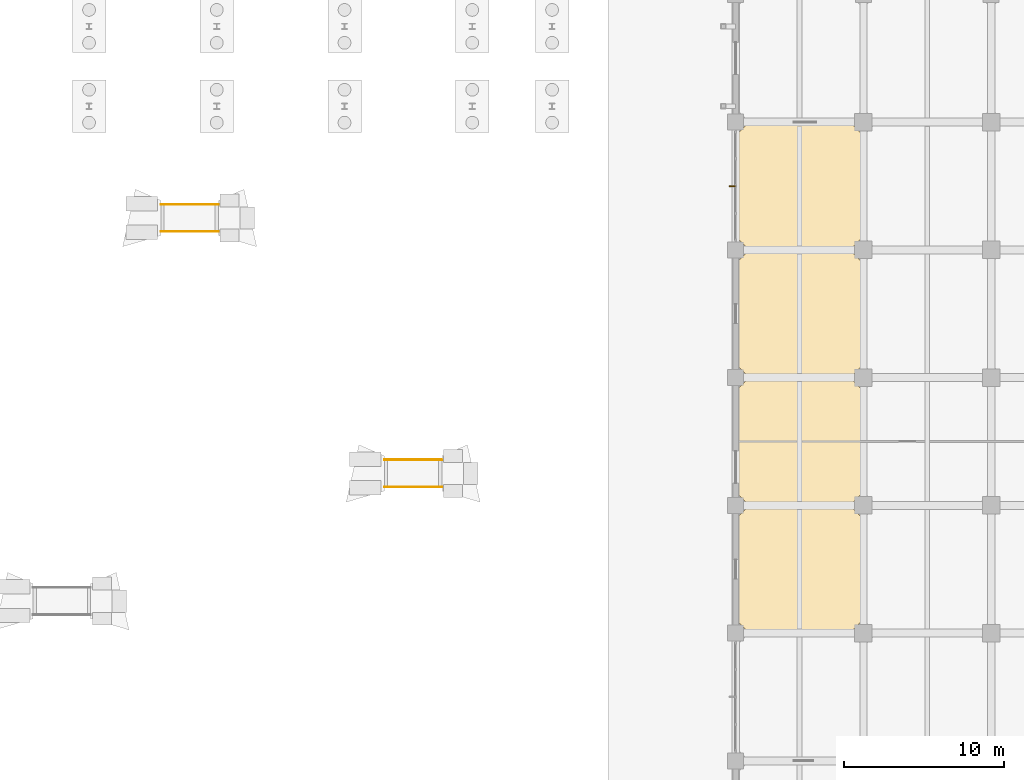
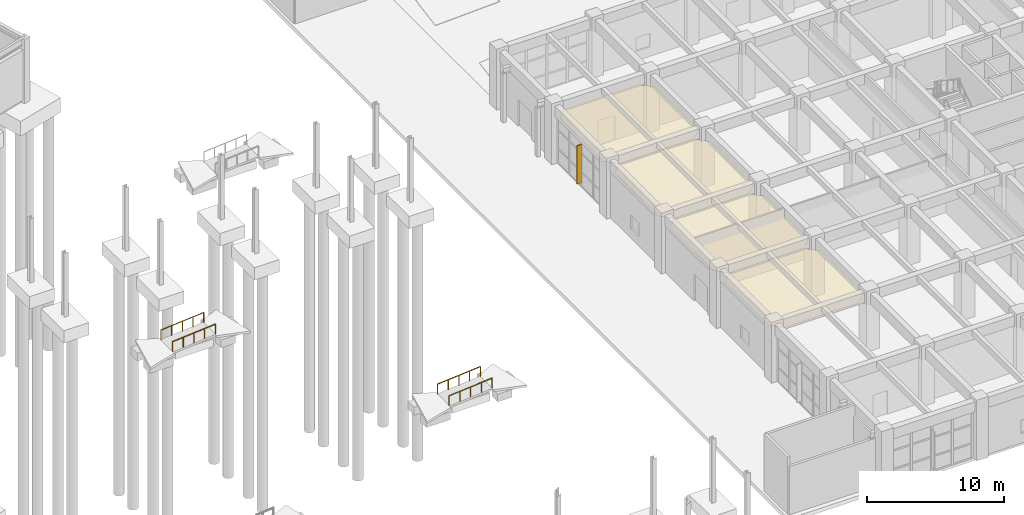
# One storey, part 84 of 90: 4 coverings, 4 railings, 1 shading device.
"""IFC4 building model written with IfcOpenShell, lengths in metres."""

from ifc_helpers import new_model, si_unit, direction, frame, origin, origin_2d, place, context, subcontext, project, spatial, polyline, rectangle, circle, outline, extrude, material, layer, layer_set, type_object, element, save


model = new_model("IFC4")

# Units and contexts
model_context = context("Model", 3, precision=1e-05, world=origin(), true_north=direction((0.0, 1.0)))
body_context = subcontext(model_context, "Body", "Model", "MODEL_VIEW")
ifc_project = project(units=[si_unit("LENGTHUNIT", "METRE"), si_unit("AREAUNIT", "SQUARE_METRE"), si_unit("VOLUMEUNIT", "CUBIC_METRE"), si_unit("PLANEANGLEUNIT", "RADIAN"), si_unit("MASSUNIT", "GRAM", prefix="KILO")], contexts=[model_context])

# Site, building, storey
site_placement = place(None, origin())
site = spatial("IfcSite", under=ifc_project, at=site_placement, CompositionType="ELEMENT")
building_placement = place(site_placement, origin())
building = spatial("IfcBuilding", under=site, at=building_placement, Name="Canggui Botanical Conservatory", CompositionType="ELEMENT")
storey_placement = place(building_placement, origin())
storey = spatial("IfcBuildingStorey", under=building, at=storey_placement, Name="L01", CompositionType="ELEMENT", Elevation=0.0)

# Coverings
ifc_material_1 = material(Name="Mineral Fibre Acoustic Board")
ifc_layer_1 = layer(ifc_material_1, 0.014892578125, Name="Mineral Fibre Acoustic Board")
ifc_layer_set_1 = layer_set([ifc_layer_1], Name="Mineral Fibre Acoustic Board")
covering_type_1 = type_object("IfcCoveringType", Name="COV-CEIL-15", PredefinedType="CEILING", material=ifc_layer_set_1)
covering_1_placement = place(storey_placement, frame((0.0, 0.0, 4.155029296875)))
element("IfcCovering", 1, at=covering_1_placement, inside=storey, type_object=covering_type_1, Name="Suspended Acoustic Ceiling L01-130-42", PredefinedType="CEILING", context=body_context, shape_type="SweptSolid", body=[
    extrude(outline(polyline([(130.85009765625, 42.0), (137.14990234375, 42.0), (138.0, 42.85009765625), (138.0, 49.14990234375), (137.14990234375, 50.0), (130.85009765625, 50.0), (130.0, 49.14990234375), (130.0, 42.85009765625), (130.85009765625, 42.0)])), origin(), (0.0, 0.0, 1.0), 0.014892578125),
])
covering_2_placement = place(storey_placement, frame((0.0, 0.0, 4.155029296875)))
element("IfcCovering", 2, at=covering_2_placement, inside=storey, type_object=covering_type_1, Name="Suspended Acoustic Ceiling L01-130-58", PredefinedType="CEILING", context=body_context, shape_type="SweptSolid", body=[
    extrude(outline(polyline([(130.85009765625, 58.0), (137.14990234375, 58.0), (138.0, 58.85009765625), (138.0, 65.14990234375), (137.14990234375, 66.0), (130.85009765625, 66.0), (130.0, 65.14990234375), (130.0, 58.85009765625), (130.85009765625, 58.0)])), origin(), (0.0, 0.0, 1.0), 0.014892578125),
])
ifc_material_2 = material(Name="Perforated Gypsum Acoustic Panel")
ifc_layer_2 = layer(ifc_material_2, 0.02001953125, Name="Perforated Gypsum Acoustic Panel")
ifc_layer_set_2 = layer_set([ifc_layer_2], Name="Perforated Gypsum Acoustic Panel")
covering_type_2 = type_object("IfcCoveringType", Name="COV-CEIL-20", PredefinedType="CEILING", material=ifc_layer_set_2)
covering_3_placement = place(storey_placement, frame((0.0, 0.0, 4.14990234375)))
element("IfcCovering", 3, at=covering_3_placement, inside=storey, type_object=covering_type_2, Name="Suspended Acoustic Ceiling L01-130-50", PredefinedType="CEILING", context=body_context, shape_type="SweptSolid", body=[
    extrude(outline(polyline([(130.85009765625, 50.0), (137.14990234375, 50.0), (138.0, 50.85009765625), (138.0, 57.14990234375), (137.14990234375, 58.0), (130.85009765625, 58.0), (130.0, 57.14990234375), (130.0, 50.85009765625), (130.85009765625, 50.0)])), origin(), (0.0, 0.0, 1.0), 0.02001953125),
])
covering_4_placement = place(storey_placement, frame((0.0, 0.0, 4.14990234375)))
element("IfcCovering", 4, at=covering_4_placement, inside=storey, type_object=covering_type_2, Name="Suspended Acoustic Ceiling L01-130-66", PredefinedType="CEILING", context=body_context, shape_type="SweptSolid", body=[
    extrude(outline(polyline([(130.85009765625, 66.0), (137.14990234375, 66.0), (138.0, 66.85009765625), (138.0, 73.14990234375), (137.14990234375, 74.0), (130.85009765625, 74.0), (130.0, 73.14990234375), (130.0, 66.85009765625), (130.85009765625, 66.0)])), origin(), (0.0, 0.0, 1.0), 0.02001953125),
])

# Railings
ifc_material_3 = material(Name="Stainless Steel 304", Category="steel")
railing_type = type_object("IfcRailingType", Name="RAIL-HAND-900", PredefinedType="HANDRAIL", material=ifc_material_3)
for number, where, name in (
    (5, (108.0, 51.14990234375, -0.300048828125), "PR-03 Accessible Handrail S"),
    (6, (108.0, 52.85009765625, -0.300048828125), "PR-03 Accessible Handrail N"),
    (7, (94.0, 67.14990234375, -0.300048828125), "PR-05 Accessible Handrail S"),
    (8, (94.0, 68.85009765625, -0.300048828125), "PR-05 Accessible Handrail N"),
):
    element("IfcRailing", number, at=place(storey_placement, frame(where)), inside=storey, type_object=railing_type, Name=name, PredefinedType="HANDRAIL", context=body_context, shape_type="SweptSolid", body=[
        extrude(circle(Radius=0.02392578125, at=origin_2d()), frame((0.0, 0.0, 0.8759765625), z_axis=(0.996544826035, 0.0, 0.083056665618), x_axis=(0.0, 1.0, 0.0)), (0.0, 0.0, 1.0), 3.612548828125),
        extrude(circle(Radius=0.02099609375, at=origin_2d()), origin(), (0.0, 0.0, 1.0), 0.851806640625),
        extrude(circle(Radius=0.02099609375, at=origin_2d()), frame((0.89990234375, 0.0, 0.074951171875)), (0.0, 0.0, 1.0), 0.851806640625),
        extrude(circle(Radius=0.02099609375, at=origin_2d()), frame((1.800048828125, 0.0, 0.14990234375)), (0.0, 0.0, 1.0), 0.851806640625),
        extrude(circle(Radius=0.02099609375, at=origin_2d()), frame((2.7001953125, 0.0, 0.22509765625)), (0.0, 0.0, 1.0), 0.851806640625),
        extrude(circle(Radius=0.02099609375, at=origin_2d()), frame((3.60009765625, 0.0, 0.300048828125)), (0.0, 0.0, 1.0), 0.851806640625),
    ])

# Shading device
ifc_material_4 = material(Name="Anodised Aluminium", Category="aluminium")
shading_device_type = type_object("IfcShadingDeviceType", Name="SHD-FIN01", PredefinedType="AWNING", material=ifc_material_4)
shading_device_placement = place(storey_placement, frame((129.804931640625, 70.0, 0.39013671875), z_axis=(0.0, 0.0, 1.0), x_axis=(0.0, 1.0, 0.0)))
element("IfcShadingDevice", 9, at=shading_device_placement, inside=storey, type_object=shading_device_type, Name="Solar Shading Fin CW-TWR-L01-09", PredefinedType="AWNING", context=body_context, shape_type="SweptSolid", body=[
    extrude(rectangle(XDim=0.06005859375, YDim=0.419921875, at=origin_2d()), origin(), (0.0, 0.0, 1.0), 3.39990234375),
])

save(model, "model.ifc")
